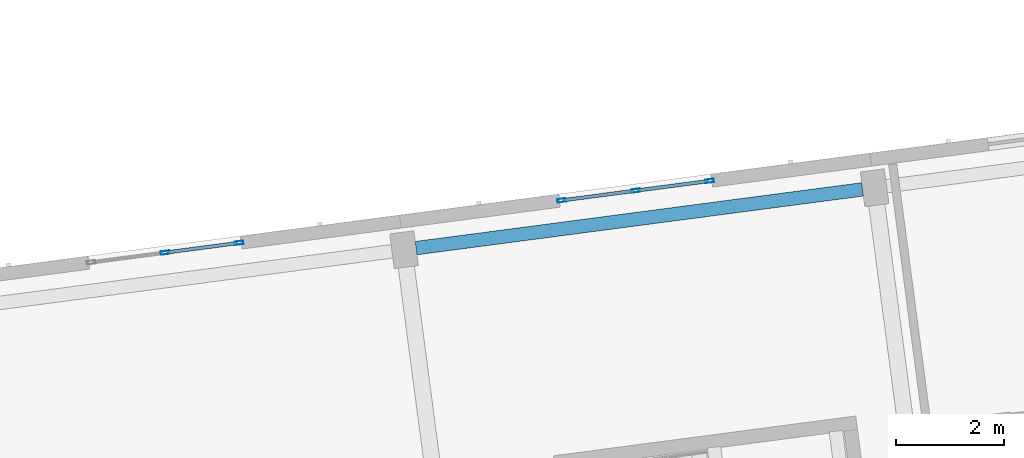
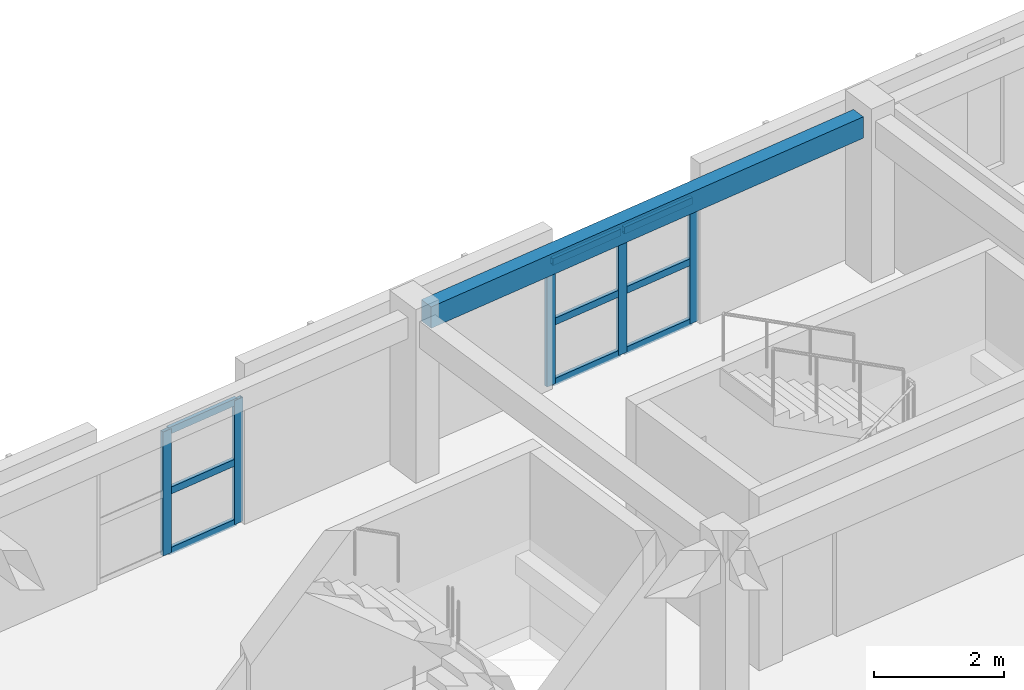
# One storey, part 6 of 56: 14 members, 1 beam, 2 elements without a shape of their own.
"""IFC4 building model written with IfcOpenShell, lengths in metres."""

from ifc_helpers import new_model, si_unit, direction, frame, origin, origin_2d, place, context, subcontext, project, spatial, rectangle, hollow_rectangle, extrude, material, material_profile, profile_set, type_object, element, aggregate, save


model = new_model("IFC4")

# Units and contexts
model_context = context("Model", 3, precision=1e-05, world=origin(), true_north=direction((0.0, 1.0)))
body_context = subcontext(model_context, "Body", "Model", "MODEL_VIEW")
ifc_project = project(units=[si_unit("LENGTHUNIT", "METRE"), si_unit("AREAUNIT", "SQUARE_METRE"), si_unit("VOLUMEUNIT", "CUBIC_METRE"), si_unit("PLANEANGLEUNIT", "RADIAN"), si_unit("MASSUNIT", "GRAM", prefix="KILO")], contexts=[model_context])

# Site, building, storey
site_placement = place(None, origin())
site = spatial("IfcSite", under=ifc_project, at=site_placement, CompositionType="ELEMENT")
building_placement = place(site_placement, origin())
building = spatial("IfcBuilding", under=site, at=building_placement, Name="Kestramere Prow Commons", CompositionType="ELEMENT")
storey_placement = place(building_placement, frame((0.0, 0.0, 27.89990234375)))
storey = spatial("IfcBuildingStorey", under=building, at=storey_placement, Name="L08", CompositionType="ELEMENT", Elevation=27.89990234375)

# Curtain wall, members
ifc_material_1 = material(Name="Anodised Aluminium and Low-E Glass", Category="aluminium")
curtain_wall_type = type_object("IfcCurtainWallType", Name="CW-03 Glazed Curtain Wall 2830x2320", PredefinedType="USERDEFINED", material=ifc_material_1)
curtain_wall_1_placement = place(storey_placement, origin())
curtain_wall_1 = element("IfcCurtainWall", 1, at=curtain_wall_1_placement, inside=storey, type_object=curtain_wall_type, Name="Block A L08 Stairwell Vertical Glazing 2", ObjectType="GLAZED CURTAIN WALL", PredefinedType="USERDEFINED")
ifc_material_2 = material(Name="Anodised Aluminium 6063-T6", Category="aluminium")
ifc_material_profile_1 = material_profile(ifc_material_2, hollow_rectangle(XDim=0.06494140625, YDim=0.159912109375, WallThickness=0.00390625, at=origin_2d()), Name="ALU-MUL 65x160")
ifc_profile_set_1 = profile_set([ifc_material_profile_1], Name="Anodised Aluminium 6063-T6")
member_type_1 = type_object("IfcMemberType", Name="CW-MUL-65x160", PredefinedType="MULLION", material=ifc_profile_set_1)
member_1_placement = place(storey_placement, frame((21.60791015625, 94.072265625, 0.0), z_axis=(0.0, 0.0, 1.0), x_axis=(-0.13052614723, 0.991444867297, 0.0)))
member_1 = element("IfcMember", 2, at=member_1_placement, type_object=member_type_1, Name="CW-03 mullion 2", PredefinedType="MULLION", context=body_context, shape_type="SweptSolid", body=[
    extrude(hollow_rectangle(XDim=0.06494140625, YDim=0.159912109375, WallThickness=0.00390625, at=origin_2d()), origin(), (0.0, 0.0, 1.0), 2.320068359375),
])
member_2_placement = place(storey_placement, frame((22.978759765625, 94.252685546875, 0.0), z_axis=(0.0, 0.0, 1.0), x_axis=(-0.13052614723, 0.991444867297, 0.0)))
member_2 = element("IfcMember", 3, at=member_2_placement, type_object=member_type_1, Name="CW-03 mullion 3", PredefinedType="MULLION", context=body_context, shape_type="SweptSolid", body=[
    extrude(hollow_rectangle(XDim=0.06494140625, YDim=0.159912109375, WallThickness=0.00390625, at=origin_2d()), origin(), (0.0, 0.0, 1.0), 2.320068359375),
])

curtain_wall_2_placement = place(storey_placement, origin())
curtain_wall_2 = element("IfcCurtainWall", 4, at=curtain_wall_2_placement, inside=storey, type_object=curtain_wall_type, Name="Block A L08 Stairwell Vertical Glazing 3", ObjectType="GLAZED CURTAIN WALL", PredefinedType="USERDEFINED")
member_3_placement = place(storey_placement, frame((28.962158203125, 95.04052734375, 0.0), z_axis=(0.0, 0.0, 1.0), x_axis=(-0.130526494555, 0.991444821571, 0.0)))
member_3 = element("IfcMember", 5, at=member_3_placement, type_object=member_type_1, Name="CW-03 mullion 1", PredefinedType="MULLION", context=body_context, shape_type="SweptSolid", body=[
    extrude(hollow_rectangle(XDim=0.06494140625, YDim=0.159912109375, WallThickness=0.00390625, at=origin_2d()), origin(), (0.0, 0.0, 1.0), 2.320068359375),
])
member_4_placement = place(storey_placement, frame((30.332763671875, 95.220947265625, 0.0), z_axis=(0.0, 0.0, 1.0), x_axis=(-0.130526494555, 0.991444821571, 0.0)))
member_4 = element("IfcMember", 6, at=member_4_placement, type_object=member_type_1, Name="CW-03 mullion 2", PredefinedType="MULLION", context=body_context, shape_type="SweptSolid", body=[
    extrude(hollow_rectangle(XDim=0.06494140625, YDim=0.159912109375, WallThickness=0.00390625, at=origin_2d()), origin(), (0.0, 0.0, 1.0), 2.320068359375),
])
member_5_placement = place(storey_placement, frame((31.703369140625, 95.4013671875, 0.0), z_axis=(0.0, 0.0, 1.0), x_axis=(-0.130526494555, 0.991444821571, 0.0)))
member_5 = element("IfcMember", 7, at=member_5_placement, type_object=member_type_1, Name="CW-03 mullion 3", PredefinedType="MULLION", context=body_context, shape_type="SweptSolid", body=[
    extrude(hollow_rectangle(XDim=0.06494140625, YDim=0.159912109375, WallThickness=0.00390625, at=origin_2d()), origin(), (0.0, 0.0, 1.0), 2.320068359375),
])

# Member
ifc_material_profile_2 = material_profile(ifc_material_2, hollow_rectangle(XDim=0.06494140625, YDim=0.1298828125, WallThickness=0.00390625, at=origin_2d()), Name="ALU-TRN 65x130")
ifc_profile_set_2 = profile_set([ifc_material_profile_2], Name="Anodised Aluminium 6063-T6")
member_type_2 = type_object("IfcMemberType", Name="CW-TRN-65x130", PredefinedType="USERDEFINED", material=ifc_profile_set_2)
member_6_placement = place(storey_placement, frame((21.64013671875, 94.07666015625, 0.03271484375), z_axis=(0.991456187381, 0.130440133791, 0.0), x_axis=(-0.130440133791, 0.991456187381, 0.0)))
member_6 = element("IfcMember", 8, at=member_6_placement, type_object=member_type_2, Name="CW-03 transom 2.1", ObjectType="TRANSOM", PredefinedType="USERDEFINED", context=body_context, shape_type="SweptSolid", body=[
    extrude(hollow_rectangle(XDim=0.06494140625, YDim=0.1298828125, WallThickness=0.00390625, at=origin_2d()), origin(), (0.0, 0.0, 1.0), 1.317626953125),
])

member_7_placement = place(storey_placement, frame((21.64013671875, 94.07666015625, 1.16015625), z_axis=(0.991456187381, 0.130440133791, 0.0), x_axis=(-0.130440133791, 0.991456187381, 0.0)))
member_7 = element("IfcMember", 9, at=member_7_placement, type_object=member_type_2, Name="CW-03 transom 2.2", ObjectType="TRANSOM", PredefinedType="USERDEFINED", context=body_context, shape_type="SweptSolid", body=[
    extrude(hollow_rectangle(XDim=0.06494140625, YDim=0.1298828125, WallThickness=0.00390625, at=origin_2d()), origin(), (0.0, 0.0, 1.0), 1.317626953125),
])

member_8_placement = place(storey_placement, frame((21.64013671875, 94.07666015625, 2.28759765625), z_axis=(0.991456187381, 0.130440133791, 0.0), x_axis=(-0.130440133791, 0.991456187381, 0.0)))
member_8 = element("IfcMember", 10, at=member_8_placement, type_object=member_type_2, Name="CW-03 transom 2.3", ObjectType="TRANSOM", PredefinedType="USERDEFINED", context=body_context, shape_type="SweptSolid", body=[
    extrude(hollow_rectangle(XDim=0.06494140625, YDim=0.1298828125, WallThickness=0.00390625, at=origin_2d()), origin(), (0.0, 0.0, 1.0), 1.317626953125),
])

aggregate(curtain_wall_1, [member_1, member_2, member_6, member_7, member_8])

member_9_placement = place(storey_placement, frame((28.994384765625, 95.044677734375, 0.03271484375), z_axis=(0.99142904707, 0.130646257605, 0.0), x_axis=(-0.130646257605, 0.99142904707, 0.0)))
member_9 = element("IfcMember", 11, at=member_9_placement, type_object=member_type_2, Name="CW-03 transom 1.1", ObjectType="TRANSOM", PredefinedType="USERDEFINED", context=body_context, shape_type="SweptSolid", body=[
    extrude(hollow_rectangle(XDim=0.06494140625, YDim=0.1298828125, WallThickness=0.00390625, at=origin_2d()), origin(), (0.0, 0.0, 1.0), 1.3173828125),
])

member_10_placement = place(storey_placement, frame((28.994384765625, 95.044677734375, 1.16015625), z_axis=(0.99142904707, 0.130646257605, 0.0), x_axis=(-0.130646257605, 0.99142904707, 0.0)))
member_10 = element("IfcMember", 12, at=member_10_placement, type_object=member_type_2, Name="CW-03 transom 1.2", ObjectType="TRANSOM", PredefinedType="USERDEFINED", context=body_context, shape_type="SweptSolid", body=[
    extrude(hollow_rectangle(XDim=0.06494140625, YDim=0.1298828125, WallThickness=0.00390625, at=origin_2d()), origin(), (0.0, 0.0, 1.0), 1.3173828125),
])

member_11_placement = place(storey_placement, frame((28.994384765625, 95.044677734375, 2.28759765625), z_axis=(0.99142904707, 0.130646257605, 0.0), x_axis=(-0.130646257605, 0.99142904707, 0.0)))
member_11 = element("IfcMember", 13, at=member_11_placement, type_object=member_type_2, Name="CW-03 transom 1.3", ObjectType="TRANSOM", PredefinedType="USERDEFINED", context=body_context, shape_type="SweptSolid", body=[
    extrude(hollow_rectangle(XDim=0.06494140625, YDim=0.1298828125, WallThickness=0.00390625, at=origin_2d()), origin(), (0.0, 0.0, 1.0), 1.3173828125),
])

member_12_placement = place(storey_placement, frame((30.364990234375, 95.225341796875, 0.03271484375), z_axis=(0.991453033969, 0.130464100171, 0.0), x_axis=(-0.130464100171, 0.991453033969, 0.0)))
member_12 = element("IfcMember", 14, at=member_12_placement, type_object=member_type_2, Name="CW-03 transom 2.1", ObjectType="TRANSOM", PredefinedType="USERDEFINED", context=body_context, shape_type="SweptSolid", body=[
    extrude(hollow_rectangle(XDim=0.06494140625, YDim=0.1298828125, WallThickness=0.00390625, at=origin_2d()), origin(), (0.0, 0.0, 1.0), 1.3173828125),
])

member_13_placement = place(storey_placement, frame((30.364990234375, 95.225341796875, 1.16015625), z_axis=(0.991453033969, 0.130464100171, 0.0), x_axis=(-0.130464100171, 0.991453033969, 0.0)))
member_13 = element("IfcMember", 15, at=member_13_placement, type_object=member_type_2, Name="CW-03 transom 2.2", ObjectType="TRANSOM", PredefinedType="USERDEFINED", context=body_context, shape_type="SweptSolid", body=[
    extrude(hollow_rectangle(XDim=0.06494140625, YDim=0.1298828125, WallThickness=0.00390625, at=origin_2d()), origin(), (0.0, 0.0, 1.0), 1.3173828125),
])

member_14_placement = place(storey_placement, frame((30.364990234375, 95.225341796875, 2.28759765625), z_axis=(0.991453033969, 0.130464100171, 0.0), x_axis=(-0.130464100171, 0.991453033969, 0.0)))
member_14 = element("IfcMember", 16, at=member_14_placement, type_object=member_type_2, Name="CW-03 transom 2.3", ObjectType="TRANSOM", PredefinedType="USERDEFINED", context=body_context, shape_type="SweptSolid", body=[
    extrude(hollow_rectangle(XDim=0.06494140625, YDim=0.1298828125, WallThickness=0.00390625, at=origin_2d()), origin(), (0.0, 0.0, 1.0), 1.3173828125),
])

aggregate(curtain_wall_2, [member_3, member_4, member_5, member_9, member_10, member_11, member_12, member_13, member_14])

# Beam
ifc_material_3 = material(Name="Precast concrete C40/50", Category="concrete")
ifc_material_profile_3 = material_profile(ifc_material_3, rectangle(XDim=0.25, YDim=0.39990234375, at=origin_2d()), Name="PC-SP 250x400")
ifc_profile_set_3 = profile_set([ifc_material_profile_3], Name="Precast concrete C40/50")
beam_type = type_object("IfcBeamType", Name="SP-EXT-01 PC-SP 250x400", PredefinedType="SPANDREL", material=ifc_profile_set_3)
beam_placement = place(storey_placement, frame((26.261962890625, 94.155517578125, 2.800048828125), z_axis=(0.991445635283, 0.13052031366, 0.0), x_axis=(-0.13052031366, 0.991445635283, 0.0)))
element("IfcBeam", 17, at=beam_placement, inside=storey, type_object=beam_type, Name="Block A L08 Longitudinal Beam 4-3", PredefinedType="SPANDREL", context=body_context, shape_type="SweptSolid", body=[
    extrude(rectangle(XDim=0.25, YDim=0.39990234375, at=origin_2d()), origin(), (0.0, 0.0, 1.0), 8.35009765625),
])

save(model, "model.ifc")
